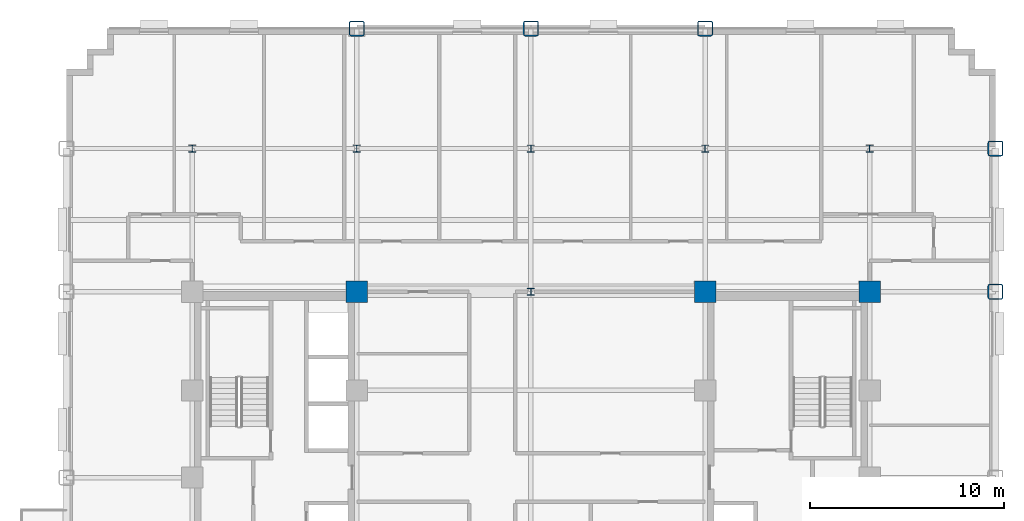
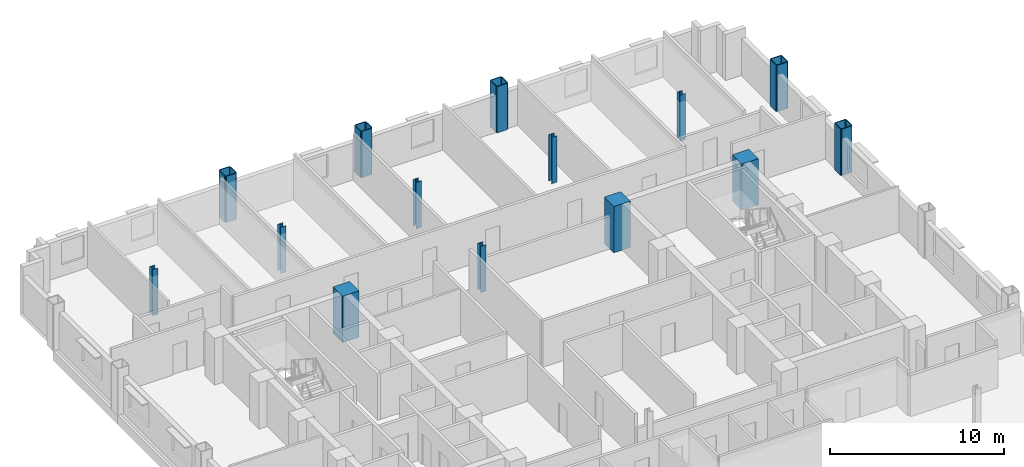
# One storey, part 3 of 14: 14 columns.
"""IFC4 building model written with IfcOpenShell, lengths in metres."""

from ifc_helpers import new_model, si_unit, direction, frame, origin, origin_2d, place, context, subcontext, project, spatial, rectangle, hollow_rectangle, i_section, extrude, material, material_profile, profile_set, type_object, element, save


model = new_model("IFC4")

# Units and contexts
model_context = context("Model", 3, precision=1e-05, world=origin(), true_north=direction((0.0, 1.0)))
body_context = subcontext(model_context, "Body", "Model", "MODEL_VIEW")
ifc_project = project(units=[si_unit("LENGTHUNIT", "METRE"), si_unit("AREAUNIT", "SQUARE_METRE"), si_unit("VOLUMEUNIT", "CUBIC_METRE"), si_unit("PLANEANGLEUNIT", "RADIAN"), si_unit("MASSUNIT", "GRAM", prefix="KILO")], contexts=[model_context])

# Site, building, storey
site_placement = place(None, origin())
site = spatial("IfcSite", under=ifc_project, at=site_placement, CompositionType="ELEMENT")
building_placement = place(site_placement, origin())
building = spatial("IfcBuilding", under=site, at=building_placement, Name="Nuvemarco Arch Tower", CompositionType="ELEMENT")
storey_placement = place(building_placement, frame((0.0, 0.0, 89.64990234375)))
storey = spatial("IfcBuildingStorey", under=building, at=storey_placement, Name="L23", CompositionType="ELEMENT", Elevation=89.64990234375)

# Columns
ifc_material_1 = material(Name="Concrete C60/75", Category="concrete")
ifc_material_profile_1 = material_profile(ifc_material_1, rectangle(XDim=1.10009765625, YDim=1.10009765625, at=origin_2d()), Name="RC-COL-1100x1100")
ifc_profile_set_1 = profile_set([ifc_material_profile_1], Name="Concrete C60/75")
column_type_1 = type_object("IfcColumnType", Name="COL-CORE-1100", PredefinedType="COLUMN", material=ifc_profile_set_1)
for number, where, z_axis, x_axis, name in (
    (1, (-9.0, 9.60009765625, 0.0), (0.0, 0.0, 1.0), (1.0, 0.0, 0.0), "L23 column CC_-9.0_+9.6"),
    (2, (9.0, 9.60009765625, 0.0), (0.0, 0.0, 1.0), (1.0, 0.0, 0.0), "L23 column CC_+9.0_+9.6"),
    (3, (17.5, 9.60009765625, 0.0), (0.0, 0.0, 1.0), (1.0, 0.0, 0.0), "L23 column CC_+17.5_+9.6"),
):
    element("IfcColumn", number, at=place(storey_placement, frame(where, z_axis=z_axis, x_axis=x_axis)), inside=storey, type_object=column_type_1, Name=name, PredefinedType="COLUMN", context=body_context, shape_type="SweptSolid", body=[
        extrude(rectangle(XDim=1.10009765625, YDim=1.10009765625, at=origin_2d()), origin(), (0.0, 0.0, 1.0), 3.25),
    ])
ifc_material_2 = material(Name="Steel S460", Category="steel")
ifc_material_profile_2 = material_profile(ifc_material_2, hollow_rectangle(XDim=0.800048828125, YDim=0.800048828125, WallThickness=0.054931640625, InnerFilletRadius=0.054931640625, OuterFilletRadius=0.110107421875, at=origin_2d()), Name="SHS800x800x55")
ifc_profile_set_2 = profile_set([ifc_material_profile_2], Name="Steel S460")
column_type_2 = type_object("IfcColumnType", Name="COL-EXO-800", PredefinedType="COLUMN", material=ifc_profile_set_2)
for number, where, z_axis, x_axis, name in (
    (4, (24.0, 9.60009765625, 0.0), (0.0, 0.0, 1.0), (1.0, 0.0, 0.0), "L23 column CX_+24.0_+9.6"),
    (5, (24.0, 17.0, 0.0), (0.0, 0.0, 1.0), (1.0, 0.0, 0.0), "L23 column CX_+24.0_+17.0"),
    (6, (-9.0, 23.199951171875, 0.0), (0.0, 0.0, 1.0), (1.0, 0.0, 0.0), "L23 column CY_-9.0_+23.2"),
    (7, (0.0, 23.199951171875, 0.0), (0.0, 0.0, 1.0), (1.0, 0.0, 0.0), "L23 column CY_+0.0_+23.2"),
    (8, (9.0, 23.199951171875, 0.0), (0.0, 0.0, 1.0), (1.0, 0.0, 0.0), "L23 column CY_+9.0_+23.2"),
):
    element("IfcColumn", number, at=place(storey_placement, frame(where, z_axis=z_axis, x_axis=x_axis)), inside=storey, type_object=column_type_2, Name=name, PredefinedType="COLUMN", context=body_context, shape_type="SweptSolid", body=[
        extrude(hollow_rectangle(XDim=0.800048828125, YDim=0.800048828125, WallThickness=0.054931640625, InnerFilletRadius=0.054931640625, OuterFilletRadius=0.110107421875, at=origin_2d()), origin(), (0.0, 0.0, 1.0), 3.25),
    ])
ifc_material_3 = material(Name="Steel S355", Category="steel")
ifc_material_profile_3 = material_profile(ifc_material_3, i_section(OverallWidth=0.360107421875, OverallDepth=0.360107421875, WebThickness=0.0205078125, FlangeThickness=0.0205078125, FilletRadius=0.01806640625, at=origin_2d()), Name="HP360x174")
ifc_profile_set_3 = profile_set([ifc_material_profile_3], Name="Steel S355")
column_type_3 = type_object("IfcColumnType", Name="COL-STL-HP360", PredefinedType="COLUMN", material=ifc_profile_set_3)
for number, where, z_axis, x_axis, name in (
    (9, (0.0, 9.60009765625, 0.0), (0.0, 0.0, 1.0), (1.0, 0.0, 0.0), "L23 column CI_+0.0_+9.6"),
    (10, (0.0, 17.0, 0.0), (0.0, 0.0, 1.0), (1.0, 0.0, 0.0), "L23 column CI_+0.0_+17.0"),
    (11, (-17.5, 17.0, 0.0), (0.0, 0.0, 1.0), (1.0, 0.0, 0.0), "L23 column CI_-17.5_+17.0"),
    (12, (-9.0, 17.0, 0.0), (0.0, 0.0, 1.0), (1.0, 0.0, 0.0), "L23 column CI_-9.0_+17.0"),
    (13, (9.0, 17.0, 0.0), (0.0, 0.0, 1.0), (1.0, 0.0, 0.0), "L23 column CI_+9.0_+17.0"),
    (14, (17.5, 17.0, 0.0), (0.0, 0.0, 1.0), (1.0, 0.0, 0.0), "L23 column CI_+17.5_+17.0"),
):
    element("IfcColumn", number, at=place(storey_placement, frame(where, z_axis=z_axis, x_axis=x_axis)), inside=storey, type_object=column_type_3, Name=name, PredefinedType="COLUMN", context=body_context, shape_type="SweptSolid", body=[
        extrude(i_section(OverallWidth=0.360107421875, OverallDepth=0.360107421875, WebThickness=0.0205078125, FlangeThickness=0.0205078125, FilletRadius=0.01806640625, at=origin_2d()), origin(), (0.0, 0.0, 1.0), 3.25),
    ])

save(model, "model.ifc")
